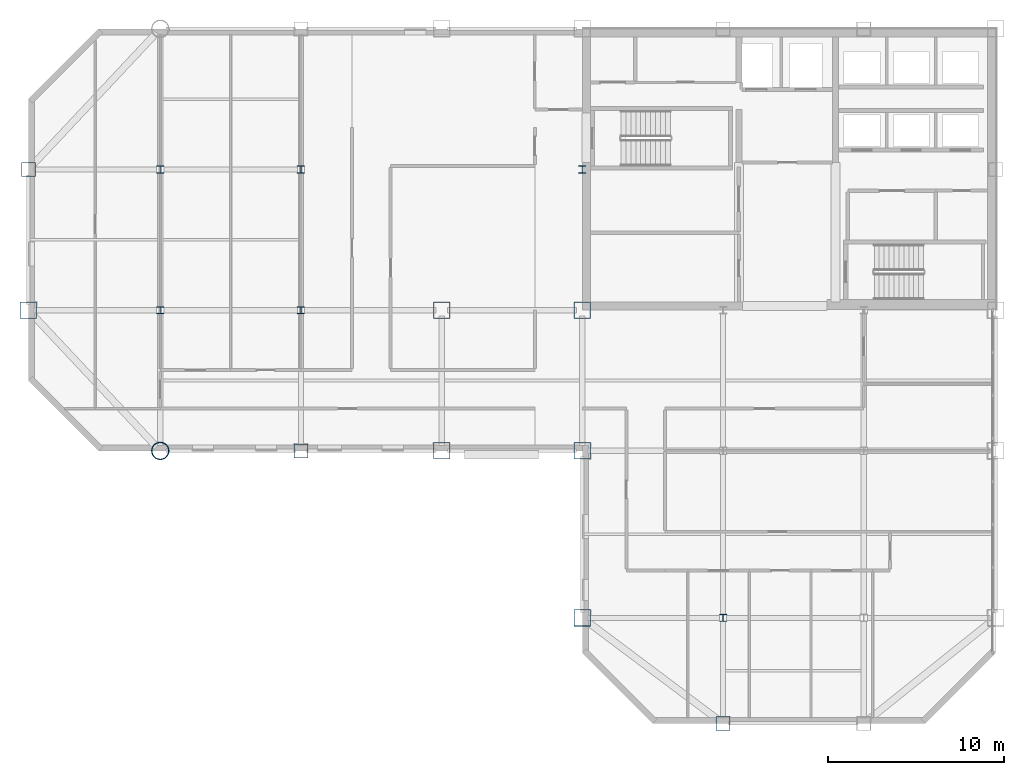
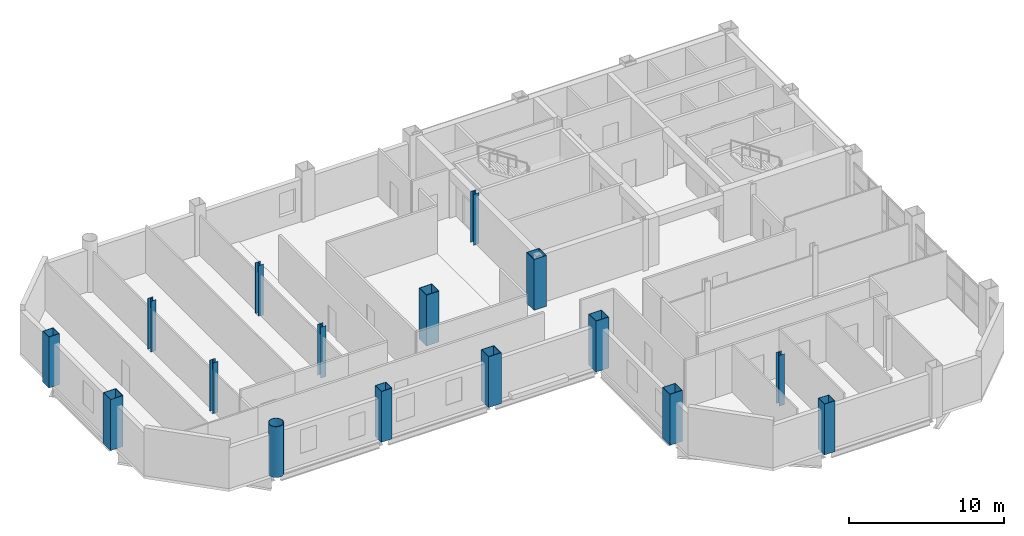
# One storey, part 1 of 12: 16 columns.
"""IFC4 building model written with IfcOpenShell, lengths in metres."""

from ifc_helpers import new_model, si_unit, direction, frame, origin, origin_2d, place, context, subcontext, project, spatial, hollow_rectangle, hollow_circle, i_section, extrude, material, material_profile, profile_set, type_object, element, save


model = new_model("IFC4")

# Units and contexts
model_context = context("Model", 3, precision=1e-05, world=origin(), true_north=direction((0.0, 1.0)))
body_context = subcontext(model_context, "Body", "Model", "MODEL_VIEW")
ifc_project = project(units=[si_unit("LENGTHUNIT", "METRE"), si_unit("AREAUNIT", "SQUARE_METRE"), si_unit("VOLUMEUNIT", "CUBIC_METRE"), si_unit("PLANEANGLEUNIT", "RADIAN"), si_unit("MASSUNIT", "GRAM", prefix="KILO")], contexts=[model_context])

# Site, building, storey
site_placement = place(None, origin())
site = spatial("IfcSite", under=ifc_project, at=site_placement, CompositionType="ELEMENT")
building_placement = place(site_placement, origin())
building = spatial("IfcBuilding", under=site, at=building_placement, Name="Qianrong Seaharbour Tower", CompositionType="ELEMENT")
storey_placement = place(building_placement, frame((0.0, 0.0, 213.800048828125)))
storey = spatial("IfcBuildingStorey", under=building, at=storey_placement, Name="L51", CompositionType="ELEMENT", Elevation=213.800048828125)

# Columns
ifc_material = material(Name="Structural steel SN490B", Category="steel")
ifc_material_profile_1 = material_profile(ifc_material, hollow_rectangle(XDim=0.949951171875, YDim=0.949951171875, WallThickness=0.035888671875, at=origin_2d()), Name="BOX950x950x36")
ifc_profile_set_1 = profile_set([ifc_material_profile_1], Name="Structural steel SN490B")
column_type_1 = type_object("IfcColumnType", Name="COL-CFT-950", PredefinedType="COLUMN", material=ifc_profile_set_1)
for number, where, z_axis, x_axis, name in (
    (1, (9.0, 36.0, 0.0), (0.0, 0.0, 1.0), (1.0, 0.0, 0.0), "L51 Column MC-4 at G2/GF"),
    (2, (32.5, 28.0, 0.0), (0.0, 0.0, 1.0), (1.0, 0.0, 0.0), "L51 Column MC-4 at G5/GE"),
    (3, (32.5, 36.0, 0.0), (0.0, 0.0, 1.0), (1.0, 0.0, 0.0), "L51 Column MC-4 at G5/GF"),
    (4, (40.5, 18.5, 0.0), (0.0, 0.0, 1.0), (1.0, 0.0, 0.0), "L51 Column MC-4 at G6/GD"),
    (5, (40.5, 28.0, 0.0), (0.0, 0.0, 1.0), (1.0, 0.0, 0.0), "L51 Column MC-4 at G6/GE"),
    (6, (40.5, 36.0, 0.0), (0.0, 0.0, 1.0), (1.0, 0.0, 0.0), "L51 Column MC-4 at G6/GF"),
):
    element("IfcColumn", number, at=place(storey_placement, frame(where, z_axis=z_axis, x_axis=x_axis)), inside=storey, type_object=column_type_1, Name=name, PredefinedType="COLUMN", context=body_context, shape_type="SweptSolid", body=[
        extrude(hollow_rectangle(XDim=0.949951171875, YDim=0.949951171875, WallThickness=0.035888671875, at=origin_2d()), origin(), (0.0, 0.0, 1.0), 4.0),
    ])
ifc_material_profile_2 = material_profile(ifc_material, hollow_circle(Radius=0.5, WallThickness=0.035888671875, at=origin_2d()), Name="CHS1000x36")
ifc_profile_set_2 = profile_set([ifc_material_profile_2], Name="Structural steel SN490B")
column_type_2 = type_object("IfcColumnType", Name="COL-CHS-1000", PredefinedType="COLUMN", material=ifc_profile_set_2)
column_placement = place(storey_placement, frame((16.5, 28.0, 0.0), z_axis=(0.0, 0.0, 1.0), x_axis=(1.0, 0.0, 0.0)))
element("IfcColumn", 7, at=column_placement, inside=storey, type_object=column_type_2, Name="L51 Column CC-2 at G3/GE", PredefinedType="COLUMN", context=body_context, shape_type="SweptSolid", body=[
    extrude(hollow_circle(Radius=0.5, WallThickness=0.035888671875, at=origin_2d()), origin(), (0.0, 0.0, 1.0), 4.0),
])
ifc_material_profile_3 = material_profile(ifc_material, i_section(OverallWidth=0.39990234375, OverallDepth=0.39990234375, WebThickness=0.012939453125, FlangeThickness=0.02099609375, FilletRadius=0.02197265625, at=origin_2d()), Name="H400x400x13x21")
ifc_profile_set_3 = profile_set([ifc_material_profile_3], Name="Structural steel SN490B")
column_type_3 = type_object("IfcColumnType", Name="COL-INT-H400", PredefinedType="COLUMN", material=ifc_profile_set_3)
for number, where, z_axis, x_axis, name in (
    (8, (16.5, 36.0, 0.0), (0.0, 0.0, 1.0), (1.0, 0.0, 0.0), "L51 Column IC-3 at G3/GF"),
    (9, (16.5, 44.0, 0.0), (0.0, 0.0, 1.0), (1.0, 0.0, 0.0), "L51 Column IC-3 at G3/GG"),
    (10, (24.5, 36.0, 0.0), (0.0, 0.0, 1.0), (1.0, 0.0, 0.0), "L51 Column IC-3 at G4/GF"),
    (11, (24.5, 44.0, 0.0), (0.0, 0.0, 1.0), (1.0, 0.0, 0.0), "L51 Column IC-3 at G4/GG"),
    (12, (40.5, 44.0, 0.0), (0.0, 0.0, 1.0), (1.0, 0.0, 0.0), "L51 Column IC-3 at G6/GG"),
    (13, (48.5, 18.5, 0.0), (0.0, 0.0, 1.0), (1.0, 0.0, 0.0), "L51 Column IC-3 at G7/GD"),
):
    element("IfcColumn", number, at=place(storey_placement, frame(where, z_axis=z_axis, x_axis=x_axis)), inside=storey, type_object=column_type_3, Name=name, PredefinedType="COLUMN", context=body_context, shape_type="SweptSolid", body=[
        extrude(i_section(OverallWidth=0.39990234375, OverallDepth=0.39990234375, WebThickness=0.012939453125, FlangeThickness=0.02099609375, FilletRadius=0.02197265625, at=origin_2d()), origin(), (0.0, 0.0, 1.0), 4.0),
    ])
ifc_material_profile_4 = material_profile(ifc_material, hollow_rectangle(XDim=0.800048828125, YDim=0.800048828125, WallThickness=0.031982421875, at=origin_2d()), Name="BOX800x800x32")
ifc_profile_set_4 = profile_set([ifc_material_profile_4], Name="Structural steel SN490B")
column_type_4 = type_object("IfcColumnType", Name="COL-PER-800", PredefinedType="COLUMN", material=ifc_profile_set_4)
for number, where, z_axis, x_axis, name in (
    (14, (9.0, 44.0, 0.0), (0.0, 0.0, 1.0), (1.0, 0.0, 0.0), "L51 Column PC-3 at G2/GG"),
    (15, (24.5, 28.0, 0.0), (0.0, 0.0, 1.0), (1.0, 0.0, 0.0), "L51 Column PC-3 at G4/GE"),
    (16, (48.5, 12.5, 0.0), (0.0, 0.0, 1.0), (1.0, 0.0, 0.0), "L51 Column PC-3 at G7/GC"),
):
    element("IfcColumn", number, at=place(storey_placement, frame(where, z_axis=z_axis, x_axis=x_axis)), inside=storey, type_object=column_type_4, Name=name, PredefinedType="COLUMN", context=body_context, shape_type="SweptSolid", body=[
        extrude(hollow_rectangle(XDim=0.800048828125, YDim=0.800048828125, WallThickness=0.031982421875, at=origin_2d()), origin(), (0.0, 0.0, 1.0), 4.0),
    ])

save(model, "model.ifc")
